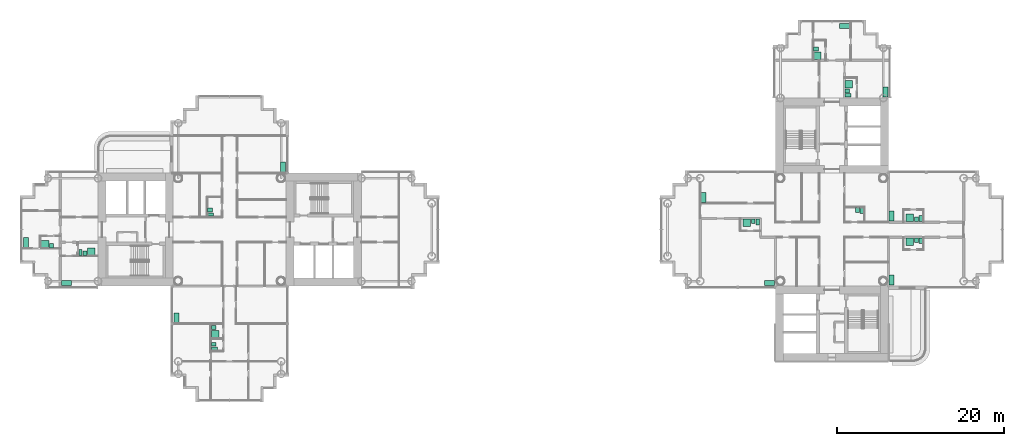
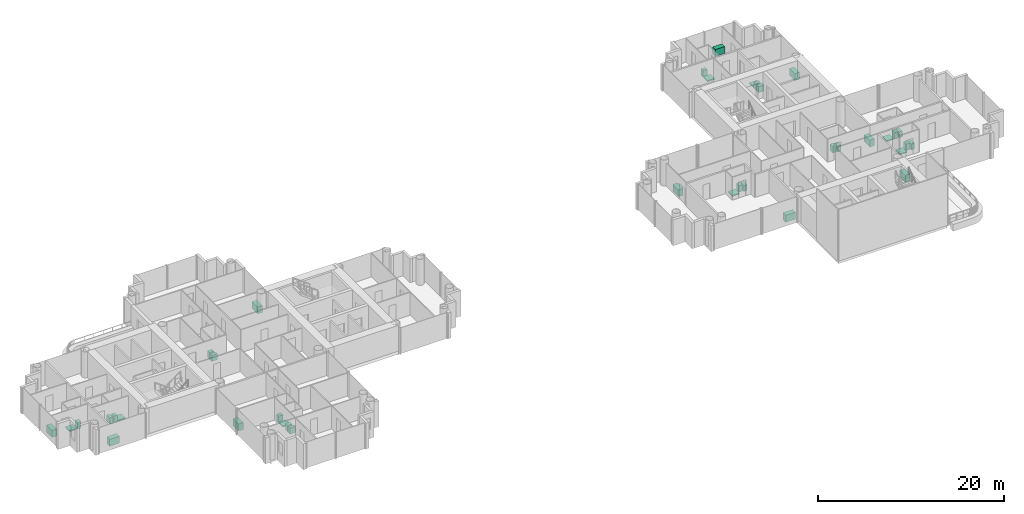
# One storey, part 22 of 22: 37 sanitary terminals.
"""IFC4 building model written with IfcOpenShell, lengths in metres."""

from ifc_helpers import new_model, si_unit, direction, frame, origin, origin_2d, place, context, subcontext, project, spatial, rectangle, extrude, material, type_object, element, save


model = new_model("IFC4")

# Units and contexts
model_context = context("Model", 3, precision=1e-05, world=origin(), true_north=direction((0.0, 1.0)))
body_context = subcontext(model_context, "Body", "Model", "MODEL_VIEW")
ifc_project = project(units=[si_unit("LENGTHUNIT", "METRE"), si_unit("AREAUNIT", "SQUARE_METRE"), si_unit("VOLUMEUNIT", "CUBIC_METRE"), si_unit("PLANEANGLEUNIT", "RADIAN"), si_unit("MASSUNIT", "GRAM", prefix="KILO")], contexts=[model_context])

# Site, building, storey
site_placement = place(None, origin())
site = spatial("IfcSite", under=ifc_project, at=site_placement, CompositionType="ELEMENT")
building_placement = place(site_placement, origin())
building = spatial("IfcBuilding", under=site, at=building_placement, Name="Ipe Terrace Towers", CompositionType="ELEMENT")
storey_placement = place(building_placement, frame((0.0, 0.0, 90.199951171875)))
storey = spatial("IfcBuildingStorey", under=building, at=storey_placement, Name="L24", CompositionType="ELEMENT", Elevation=90.199951171875)

# Sanitary terminals
ifc_material_1 = material(Name="Stainless sink unit", Category="metal")
sanitary_terminal_type_1 = type_object("IfcSanitaryTerminalType", Name="Kitchen sink unit", PredefinedType="SINK", material=ifc_material_1)
for number, where, z_axis, x_axis, name in (
    (1, (-29.6201171875, 7.469970703125, 0.0), (0.0, 0.0, 1.0), (0.0, -1.0, 0.0), "Kitchen sink unit"),
    (2, (-42.3798828125, -10.530029296875, 0.0), (0.0, 0.0, 1.0), (0.0, 1.0, 0.0), "Kitchen sink unit"),
    (3, (-55.530029296875, -6.3798828125, 0.0), (0.0, 0.0, 1.0), (-1.0, 0.0, 0.0), "Kitchen sink unit"),
    (4, (-60.3798828125, -1.530029296875, 0.0), (0.0, 0.0, 1.0), (0.0, 1.0, 0.0), "Kitchen sink unit"),
    (5, (28.530029296875, -6.3798828125, 0.0), (0.0, 0.0, 1.0), (-1.0, 0.0, 0.0), "Kitchen sink unit"),
    (6, (20.6201171875, 3.8701171875, 0.0), (0.0, 0.0, 1.0), (0.0, 1.0, 0.0), "Kitchen sink unit"),
    (7, (43.1201171875, 1.6201171875, 0.0), (0.0, 0.0, 1.0), (0.0, 1.0, 0.0), "Kitchen sink unit"),
    (8, (43.1201171875, -6.030029296875, 0.0), (0.0, 0.0, 1.0), (0.0, 1.0, 0.0), "Kitchen sink unit"),
    (9, (42.3798828125, 16.469970703125, 0.0), (0.0, 0.0, 1.0), (0.0, -1.0, 0.0), "Kitchen sink unit"),
    (10, (37.530029296875, 24.3798828125, 0.0), (0.0, 0.0, 1.0), (1.0, 0.0, 0.0), "Kitchen sink unit"),
):
    element("IfcSanitaryTerminal", number, at=place(storey_placement, frame(where, z_axis=z_axis, x_axis=x_axis)), inside=storey, type_object=sanitary_terminal_type_1, Name=name, PredefinedType="SINK", context=body_context, shape_type="SweptSolid", body=[
        extrude(rectangle(XDim=1.199951171875, YDim=0.60009765625, at=origin_2d()), origin(), (0.0, 0.0, 1.0), 0.89990234375),
    ])
ifc_material_2 = material(Name="Acrylic", Category="plastic")
sanitary_terminal_type_2 = type_object("IfcSanitaryTerminalType", Name="Shower tray", PredefinedType="SHOWER", material=ifc_material_2)
for number, where, z_axis, x_axis, name in (
    (11, (-37.72998046875, -12.47998046875, 0.0), (0.0, 0.0, 1.0), (1.0, 0.0, 0.0), "Shower tray"),
    (12, (-52.530029296875, -2.6298828125, 0.0), (0.0, 0.0, 1.0), (0.0, 1.0, 0.0), "Shower tray"),
    (13, (-58.080078125, -1.72998046875, 0.0), (0.0, 0.0, 1.0), (0.0, 1.0, 0.0), "Shower tray"),
    (14, (25.830078125, 0.830078125, 0.0), (0.0, 0.0, 1.0), (0.0, -1.0, 0.0), "Shower tray"),
    (15, (45.330078125, 1.419921875, 0.0), (0.0, 0.0, 1.0), (0.0, 1.0, 0.0), "Shower tray"),
    (16, (45.330078125, -1.419921875, 0.0), (0.0, 0.0, 1.0), (0.0, -1.0, 0.0), "Shower tray"),
    (17, (38.02001953125, 17.3701171875, 0.0), (0.0, 0.0, 1.0), (1.0, 0.0, 0.0), "Shower tray"),
    (18, (34.27001953125, 20.820068359375, 0.0), (0.0, 0.0, 1.0), (1.0, 0.0, 0.0), "Shower tray"),
):
    element("IfcSanitaryTerminal", number, at=place(storey_placement, frame(where, z_axis=z_axis, x_axis=x_axis)), inside=storey, type_object=sanitary_terminal_type_2, Name=name, PredefinedType="SHOWER", context=body_context, shape_type="SweptSolid", body=[
        extrude(rectangle(XDim=0.89990234375, YDim=0.89990234375, at=origin_2d()), origin(), (0.0, 0.0, 1.0), 0.14990234375),
    ])
ifc_material_3 = material(Name="Vitreous china", Category="ceramic")
sanitary_terminal_type_3 = type_object("IfcSanitaryTerminalType", Name="Wash basin", PredefinedType="WASHHANDBASIN", material=ifc_material_3)
for number, where, z_axis, x_axis, name in (
    (19, (-38.35498046875, 2.344970703125, 0.0), (0.0, 0.0, 1.0), (1.0, 0.0, 0.0), "Wash basin"),
    (20, (-37.905029296875, -11.705078125, 0.0), (0.0, 0.0, 1.0), (1.0, 0.0, 0.0), "Wash basin"),
    (21, (-37.905029296875, -13.705078125, 0.0), (0.0, 0.0, 1.0), (1.0, 0.0, 0.0), "Wash basin"),
    (22, (-53.304931640625, -2.804931640625, 0.0), (0.0, 0.0, 1.0), (0.0, 1.0, 0.0), "Wash basin"),
    (23, (-57.304931640625, -1.905029296875, 0.0), (0.0, 0.0, 1.0), (0.0, 1.0, 0.0), "Wash basin"),
    (24, (39.054931640625, 2.35498046875, 0.0), (0.0, 0.0, 1.0), (0.0, -1.0, 0.0), "Wash basin"),
    (25, (26.60498046875, 1.0048828125, 0.0), (0.0, 0.0, 1.0), (0.0, -1.0, 0.0), "Wash basin"),
    (26, (46.10498046875, 1.2451171875, 0.0), (0.0, 0.0, 1.0), (0.0, 1.0, 0.0), "Wash basin"),
    (27, (46.10498046875, -1.2451171875, 0.0), (0.0, 0.0, 1.0), (0.0, -1.0, 0.0), "Wash basin"),
    (28, (37.844970703125, 16.594970703125, 0.0), (0.0, 0.0, 1.0), (1.0, 0.0, 0.0), "Wash basin"),
    (29, (34.094970703125, 21.594970703125, 0.0), (0.0, 0.0, 1.0), (1.0, 0.0, 0.0), "Wash basin"),
):
    element("IfcSanitaryTerminal", number, at=place(storey_placement, frame(where, z_axis=z_axis, x_axis=x_axis)), inside=storey, type_object=sanitary_terminal_type_3, Name=name, PredefinedType="WASHHANDBASIN", context=body_context, shape_type="SweptSolid", body=[
        extrude(rectangle(XDim=0.550048828125, YDim=0.449951171875, at=origin_2d()), origin(), (0.0, 0.0, 1.0), 0.85009765625),
    ])
ifc_material_4 = material(Name="Vitreous china", Category="ceramic")
sanitary_terminal_type_4 = type_object("IfcSanitaryTerminalType", Name="Water closet", PredefinedType="TOILETPAN", material=ifc_material_4)
for number, where, z_axis, x_axis, name in (
    (30, (-38.280029296875, 1.820068359375, 0.0), (0.0, 0.0, 1.0), (1.0, 0.0, 0.0), "Water closet"),
    (31, (-37.830078125, -14.22998046875, 0.0), (0.0, 0.0, 1.0), (1.0, 0.0, 0.0), "Water closet"),
    (32, (-53.830078125, -2.72998046875, 0.0), (0.0, 0.0, 1.0), (0.0, 1.0, 0.0), "Water closet"),
    (33, (39.580078125, 2.280029296875, 0.0), (0.0, 0.0, 1.0), (0.0, -1.0, 0.0), "Water closet"),
    (34, (27.1298828125, 0.929931640625, 0.0), (0.0, 0.0, 1.0), (0.0, -1.0, 0.0), "Water closet"),
    (35, (46.6298828125, 1.320068359375, 0.0), (0.0, 0.0, 1.0), (0.0, 1.0, 0.0), "Water closet"),
    (36, (46.6298828125, -1.320068359375, 0.0), (0.0, 0.0, 1.0), (0.0, -1.0, 0.0), "Water closet"),
    (37, (37.919921875, 16.070068359375, 0.0), (0.0, 0.0, 1.0), (1.0, 0.0, 0.0), "Water closet"),
):
    element("IfcSanitaryTerminal", number, at=place(storey_placement, frame(where, z_axis=z_axis, x_axis=x_axis)), inside=storey, type_object=sanitary_terminal_type_4, Name=name, PredefinedType="TOILETPAN", context=body_context, shape_type="SweptSolid", body=[
        extrude(rectangle(XDim=0.699951171875, YDim=0.39990234375, at=origin_2d()), origin(), (0.0, 0.0, 1.0), 0.780029296875),
    ])

save(model, "model.ifc")
